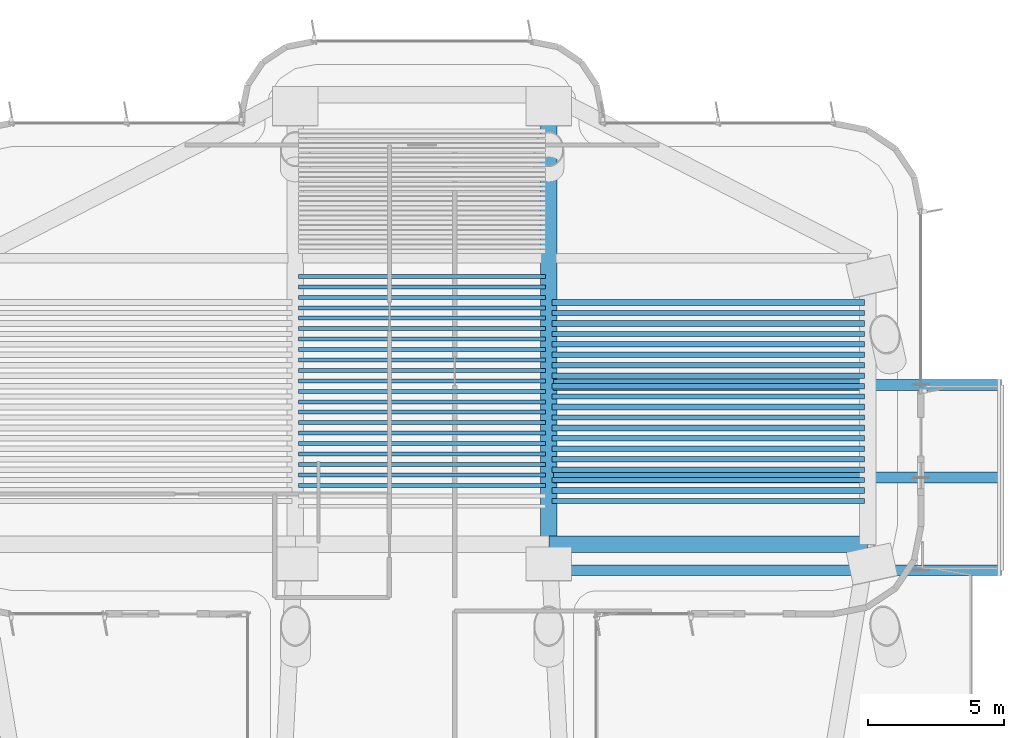
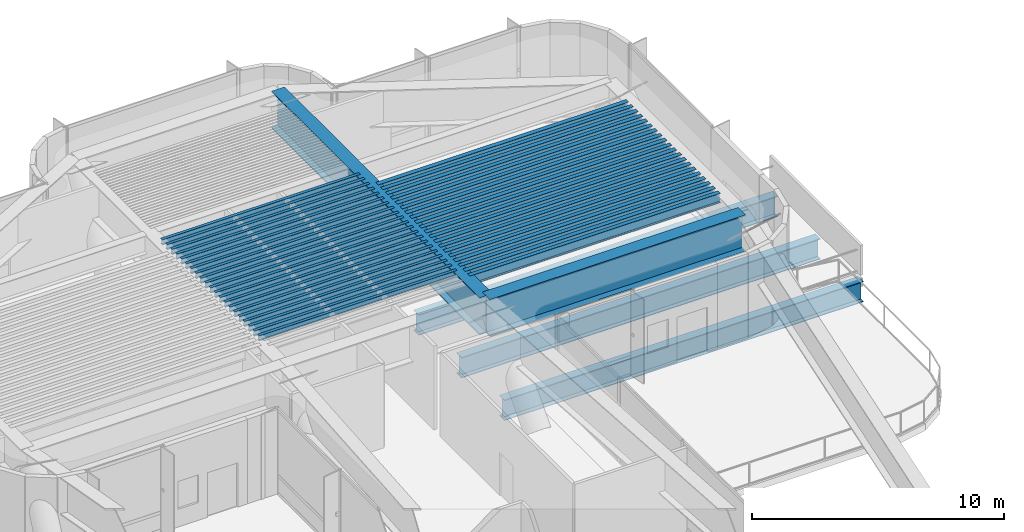
# One storey, part 6 of 16: 46 beams.
"""IFC4 building model written with IfcOpenShell, lengths in metres."""

from ifc_helpers import new_model, si_unit, direction, frame, origin, origin_2d, place, context, subcontext, project, spatial, i_section, extrude, source, transform, mapped, material, material_profile, profile_set, type_object, element, save


model = new_model("IFC4")

# Units and contexts
model_context = context("Model", 3, precision=1e-05, world=origin(), true_north=direction((0.0, 1.0)))
body_context = subcontext(model_context, "Body", "Model", "MODEL_VIEW")
ifc_project = project(units=[si_unit("LENGTHUNIT", "METRE"), si_unit("AREAUNIT", "SQUARE_METRE"), si_unit("VOLUMEUNIT", "CUBIC_METRE"), si_unit("PLANEANGLEUNIT", "RADIAN"), si_unit("MASSUNIT", "GRAM", prefix="KILO")], contexts=[model_context])

# Site, building, storey
site_placement = place(None, origin())
site = spatial("IfcSite", under=ifc_project, at=site_placement, CompositionType="ELEMENT")
building_placement = place(site_placement, origin())
building = spatial("IfcBuilding", under=site, at=building_placement, Name="Brelvock Crest Care Tower", CompositionType="ELEMENT")
storey_placement = place(building_placement, frame((0.0, 0.0, 218.52001953125)))
storey = spatial("IfcBuildingStorey", under=building, at=storey_placement, Name="L55", CompositionType="ELEMENT", Elevation=218.52001953125)

# Beams
ifc_material = material(Name="Steel Grade 350", Category="steel")
ifc_material_profile_1 = material_profile(ifc_material, i_section(OverallWidth=0.14599609375, OverallDepth=0.256103515625, WebThickness=0.00634765625, FlangeThickness=0.010986328125, FilletRadius=0.0087890625, at=origin_2d()), Name="250UB37.3")
ifc_profile_set_1 = profile_set([ifc_material_profile_1], Name="Steel Grade 350")
beam_type_1 = type_object("IfcBeamType", Name="BM-J3", PredefinedType="JOIST", material=ifc_profile_set_1)
shared_shape_1 = source(origin(), body_context, "Body", "SweptSolid", [
    extrude(i_section(OverallWidth=0.14599609375, OverallDepth=0.256103515625, WebThickness=0.00634765625, FlangeThickness=0.010986328125, FilletRadius=0.0087890625, at=origin_2d()), origin(), (0.0, 0.0, 1.0), 9.06982421875),
])
for number, where, z_axis, x_axis, name in (
    (1, (31.465087890625, 46.115478515625, 3.9638671875), (1.0, 0.0, 0.0), (0.0, 1.0, 0.0), "BM-JH-L55-5"),
    (2, (31.465087890625, 46.498779296875, 3.9638671875), (1.0, 0.0, 0.0), (0.0, 1.0, 0.0), "BM-JH-L55-6"),
    (3, (31.465087890625, 46.882080078125, 3.9638671875), (1.0, 0.0, 0.0), (0.0, 1.0, 0.0), "BM-JH-L55-7"),
    (4, (31.465087890625, 47.265380859375, 3.9638671875), (1.0, 0.0, 0.0), (0.0, 1.0, 0.0), "BM-JH-L55-8"),
    (5, (31.465087890625, 47.648681640625, 3.9638671875), (1.0, 0.0, 0.0), (0.0, 1.0, 0.0), "BM-JH-L55-9"),
    (6, (31.465087890625, 48.031982421875, 3.9638671875), (1.0, 0.0, 0.0), (0.0, 1.0, 0.0), "BM-JH-L55-10"),
    (7, (31.465087890625, 48.4150390625, 3.9638671875), (1.0, 0.0, 0.0), (0.0, 1.0, 0.0), "BM-JH-L55-11"),
    (8, (31.465087890625, 48.79833984375, 3.9638671875), (1.0, 0.0, 0.0), (0.0, 1.0, 0.0), "BM-JH-L55-12"),
    (9, (31.465087890625, 49.181640625, 3.9638671875), (1.0, 0.0, 0.0), (0.0, 1.0, 0.0), "BM-JH-L55-13"),
    (10, (31.465087890625, 49.564697265625, 3.9638671875), (1.0, 0.0, 0.0), (0.0, 1.0, 0.0), "BM-JH-L55-14"),
    (11, (31.465087890625, 49.947998046875, 3.9638671875), (1.0, 0.0, 0.0), (0.0, 1.0, 0.0), "BM-JH-L55-15"),
    (12, (31.465087890625, 50.331298828125, 3.9638671875), (1.0, 0.0, 0.0), (0.0, 1.0, 0.0), "BM-JH-L55-16"),
    (13, (31.465087890625, 50.714599609375, 3.9638671875), (1.0, 0.0, 0.0), (0.0, 1.0, 0.0), "BM-JH-L55-17"),
    (14, (31.465087890625, 51.097900390625, 3.9638671875), (1.0, 0.0, 0.0), (0.0, 1.0, 0.0), "BM-JH-L55-18"),
    (15, (31.465087890625, 51.481201171875, 3.9638671875), (1.0, 0.0, 0.0), (0.0, 1.0, 0.0), "BM-JH-L55-19"),
    (16, (31.465087890625, 51.864501953125, 3.9638671875), (1.0, 0.0, 0.0), (0.0, 1.0, 0.0), "BM-JH-L55-20"),
    (17, (31.465087890625, 52.24755859375, 3.9638671875), (1.0, 0.0, 0.0), (0.0, 1.0, 0.0), "BM-JH-L55-21"),
    (18, (31.465087890625, 52.630859375, 3.9638671875), (1.0, 0.0, 0.0), (0.0, 1.0, 0.0), "BM-JH-L55-22"),
    (19, (31.465087890625, 53.01416015625, 3.9638671875), (1.0, 0.0, 0.0), (0.0, 1.0, 0.0), "BM-JH-L55-23"),
    (20, (31.465087890625, 53.3974609375, 3.9638671875), (1.0, 0.0, 0.0), (0.0, 1.0, 0.0), "BM-JH-L55-24"),
    (21, (31.465087890625, 53.780517578125, 3.9638671875), (1.0, 0.0, 0.0), (0.0, 1.0, 0.0), "BM-JH-L55-25"),
):
    element("IfcBeam", number, at=place(storey_placement, frame(where, z_axis=z_axis, x_axis=x_axis)), inside=storey, type_object=beam_type_1, Name=name, PredefinedType="JOIST", context=body_context, shape_type="MappedRepresentation", body=[
        mapped(shared_shape_1, transform((0.0, 0.0, 0.0), x_axis=(1.0, 0.0, 0.0), y_axis=(0.0, 1.0, 0.0), z_axis=(0.0, 0.0, 1.0), scale=1.0)),
    ])
ifc_material_profile_2 = material_profile(ifc_material, i_section(OverallWidth=0.60009765625, OverallDepth=1.800048828125, WebThickness=0.028076171875, FlangeThickness=0.052001953125, at=origin_2d()), Name="1800TG740")
ifc_profile_set_2 = profile_set([ifc_material_profile_2], Name="Steel Grade 350")
beam_type_2 = type_object("IfcBeamType", Name="BM-TG1", PredefinedType="USERDEFINED", material=ifc_profile_set_2)
shared_shape_2 = source(origin(), body_context, "Body", "SweptSolid", [
    extrude(i_section(OverallWidth=0.60009765625, OverallDepth=1.800048828125, WebThickness=0.028076171875, FlangeThickness=0.052001953125, at=origin_2d()), origin(), (0.0, 0.0, 1.0), 11.7001953125),
])
beam_1_placement = place(storey_placement, frame((40.64990234375, 43.949951171875, 3.19189453125), z_axis=(1.0, 0.0, 0.0), x_axis=(0.0, 1.0, 0.0)))
element("IfcBeam", 22, at=beam_1_placement, inside=storey, type_object=beam_type_2, Name="BM-TWR-L55-04", ObjectType="GIRDER", PredefinedType="USERDEFINED", context=body_context, shape_type="MappedRepresentation", body=[
    mapped(shared_shape_2, transform((0.0, 0.0, 0.0), x_axis=(1.0, 0.0, 0.0), y_axis=(0.0, 1.0, 0.0), z_axis=(0.0, 0.0, 1.0), scale=1.0)),
])
shared_shape_3 = source(origin(), body_context, "Body", "SweptSolid", [
    extrude(i_section(OverallWidth=0.60009765625, OverallDepth=1.800048828125, WebThickness=0.028076171875, FlangeThickness=0.052001953125, at=origin_2d()), origin(), (0.0, 0.0, 1.0), 16.5),
])
beam_2_placement = place(storey_placement, frame((40.64990234375, 43.949951171875, 3.19189453125), z_axis=(0.0, 1.0, 0.0), x_axis=(-1.0, 0.0, 0.0)))
element("IfcBeam", 23, at=beam_2_placement, inside=storey, type_object=beam_type_2, Name="BM-TWR-L55-10", ObjectType="GIRDER", PredefinedType="USERDEFINED", context=body_context, shape_type="MappedRepresentation", body=[
    mapped(shared_shape_3, transform((0.0, 0.0, 0.0), x_axis=(1.0, 0.0, 0.0), y_axis=(0.0, 1.0, 0.0), z_axis=(0.0, 0.0, 1.0), scale=1.0)),
])
ifc_material_profile_3 = material_profile(ifc_material, i_section(OverallWidth=0.19091796875, OverallDepth=0.4599609375, WebThickness=0.010009765625, FlangeThickness=0.01611328125, FilletRadius=0.011474609375, at=origin_2d()), Name="460UB82.1")
ifc_profile_set_3 = profile_set([ifc_material_profile_3], Name="Steel Grade 350")
beam_type_3 = type_object("IfcBeamType", Name="BM-G3", PredefinedType="BEAM", material=ifc_profile_set_3)
shared_shape_4 = source(origin(), body_context, "Body", "SweptSolid", [
    extrude(i_section(OverallWidth=0.19091796875, OverallDepth=0.4599609375, WebThickness=0.010009765625, FlangeThickness=0.01611328125, FilletRadius=0.011474609375, at=origin_2d()), origin(), (0.0, 0.0, 1.0), 11.47021484375),
])
for number, where, z_axis, x_axis, name in (
    (24, (40.764892578125, 45.540771484375, 3.862060546875), (1.0, 0.0, 0.0), (0.0, 1.0, 0.0), "BM-JE-L55-4"),
    (25, (40.764892578125, 46.307373046875, 3.862060546875), (1.0, 0.0, 0.0), (0.0, 1.0, 0.0), "BM-JE-L55-6"),
    (26, (40.764892578125, 47.07373046875, 3.862060546875), (1.0, 0.0, 0.0), (0.0, 1.0, 0.0), "BM-JE-L55-8"),
    (27, (40.764892578125, 47.84033203125, 3.862060546875), (1.0, 0.0, 0.0), (0.0, 1.0, 0.0), "BM-JE-L55-10"),
    (28, (40.764892578125, 48.606689453125, 3.862060546875), (1.0, 0.0, 0.0), (0.0, 1.0, 0.0), "BM-JE-L55-12"),
    (29, (40.764892578125, 49.373291015625, 3.862060546875), (1.0, 0.0, 0.0), (0.0, 1.0, 0.0), "BM-JE-L55-14"),
    (30, (40.764892578125, 50.139892578125, 3.862060546875), (1.0, 0.0, 0.0), (0.0, 1.0, 0.0), "BM-JE-L55-16"),
    (31, (40.764892578125, 50.90625, 3.862060546875), (1.0, 0.0, 0.0), (0.0, 1.0, 0.0), "BM-JE-L55-18"),
    (32, (40.764892578125, 51.6728515625, 3.862060546875), (1.0, 0.0, 0.0), (0.0, 1.0, 0.0), "BM-JE-L55-20"),
    (33, (40.764892578125, 52.439208984375, 3.862060546875), (1.0, 0.0, 0.0), (0.0, 1.0, 0.0), "BM-JE-L55-22"),
):
    element("IfcBeam", number, at=place(storey_placement, frame(where, z_axis=z_axis, x_axis=x_axis)), inside=storey, type_object=beam_type_3, Name=name, PredefinedType="BEAM", context=body_context, shape_type="MappedRepresentation", body=[
        mapped(shared_shape_4, transform((0.0, 0.0, 0.0), x_axis=(1.0, 0.0, 0.0), y_axis=(0.0, 1.0, 0.0), z_axis=(0.0, 0.0, 1.0), scale=1.0)),
    ])
ifc_material_profile_4 = material_profile(ifc_material, i_section(OverallWidth=0.208984375, OverallDepth=0.532958984375, WebThickness=0.01025390625, FlangeThickness=0.015625, FilletRadius=0.013916015625, at=origin_2d()), Name="530UB92.4")
ifc_profile_set_4 = profile_set([ifc_material_profile_4], Name="Steel Grade 350")
beam_type_4 = type_object("IfcBeamType", Name="BM-G2", PredefinedType="BEAM", material=ifc_profile_set_4)
shared_shape_5 = source(origin(), body_context, "Body", "SweptSolid", [
    extrude(i_section(OverallWidth=0.208984375, OverallDepth=0.532958984375, WebThickness=0.01025390625, FlangeThickness=0.015625, FilletRadius=0.013916015625, at=origin_2d()), origin(), (0.0, 0.0, 1.0), 11.47021484375),
])
for number, where, z_axis, x_axis, name in (
    (34, (40.764892578125, 45.924072265625, 3.825439453125), (1.0, 0.0, 0.0), (0.0, 1.0, 0.0), "BM-JE-L55-5"),
    (35, (40.764892578125, 46.6904296875, 3.825439453125), (1.0, 0.0, 0.0), (0.0, 1.0, 0.0), "BM-JE-L55-7"),
    (36, (40.764892578125, 47.45703125, 3.825439453125), (1.0, 0.0, 0.0), (0.0, 1.0, 0.0), "BM-JE-L55-9"),
    (37, (40.764892578125, 48.223388671875, 3.825439453125), (1.0, 0.0, 0.0), (0.0, 1.0, 0.0), "BM-JE-L55-11"),
    (38, (40.764892578125, 48.989990234375, 3.825439453125), (1.0, 0.0, 0.0), (0.0, 1.0, 0.0), "BM-JE-L55-13"),
    (39, (40.764892578125, 49.756591796875, 3.825439453125), (1.0, 0.0, 0.0), (0.0, 1.0, 0.0), "BM-JE-L55-15"),
    (40, (40.764892578125, 50.52294921875, 3.825439453125), (1.0, 0.0, 0.0), (0.0, 1.0, 0.0), "BM-JE-L55-17"),
    (41, (40.764892578125, 51.28955078125, 3.825439453125), (1.0, 0.0, 0.0), (0.0, 1.0, 0.0), "BM-JE-L55-19"),
    (42, (40.764892578125, 52.055908203125, 3.825439453125), (1.0, 0.0, 0.0), (0.0, 1.0, 0.0), "BM-JE-L55-21"),
    (43, (40.764892578125, 52.822509765625, 3.825439453125), (1.0, 0.0, 0.0), (0.0, 1.0, 0.0), "BM-JE-L55-23"),
):
    element("IfcBeam", number, at=place(storey_placement, frame(where, z_axis=z_axis, x_axis=x_axis)), inside=storey, type_object=beam_type_4, Name=name, PredefinedType="BEAM", context=body_context, shape_type="MappedRepresentation", body=[
        mapped(shared_shape_5, transform((0.0, 0.0, 0.0), x_axis=(1.0, 0.0, 0.0), y_axis=(0.0, 1.0, 0.0), z_axis=(0.0, 0.0, 1.0), scale=1.0)),
    ])
ifc_material_profile_5 = material_profile(ifc_material, i_section(OverallWidth=0.39990234375, OverallDepth=1.0, WebThickness=0.01611328125, FlangeThickness=0.031982421875, at=origin_2d()), Name="1000WB322")
ifc_profile_set_5 = profile_set([ifc_material_profile_5], Name="Steel Grade 350")
beam_type_5 = type_object("IfcBeamType", Name="BM-G7", PredefinedType="BEAM", material=ifc_profile_set_5)
shared_shape_6 = source(origin(), body_context, "Body", "SweptSolid", [
    extrude(i_section(OverallWidth=0.39990234375, OverallDepth=1.0, WebThickness=0.01611328125, FlangeThickness=0.031982421875, at=origin_2d()), origin(), (0.0, 0.0, 1.0), 16.429931640625),
])
for number, where, z_axis, x_axis, name in (
    (44, (40.820068359375, 43.0, -0.820068359375), (1.0, 0.0, 0.0), (0.0, 1.0, 0.0), "L55 Sky Pool Cantilever Girder 1"),
    (45, (40.820068359375, 46.39990234375, -0.820068359375), (1.0, 0.0, 0.0), (0.0, 1.0, 0.0), "L55 Sky Pool Cantilever Girder 2"),
    (46, (40.820068359375, 49.800048828125, -0.820068359375), (1.0, 0.0, 0.0), (0.0, 1.0, 0.0), "L55 Sky Pool Cantilever Girder 3"),
):
    element("IfcBeam", number, at=place(storey_placement, frame(where, z_axis=z_axis, x_axis=x_axis)), inside=storey, type_object=beam_type_5, Name=name, PredefinedType="BEAM", context=body_context, shape_type="MappedRepresentation", body=[
        mapped(shared_shape_6, transform((0.0, 0.0, 0.0), x_axis=(1.0, 0.0, 0.0), y_axis=(0.0, 1.0, 0.0), z_axis=(0.0, 0.0, 1.0), scale=1.0)),
    ])

save(model, "model.ifc")
